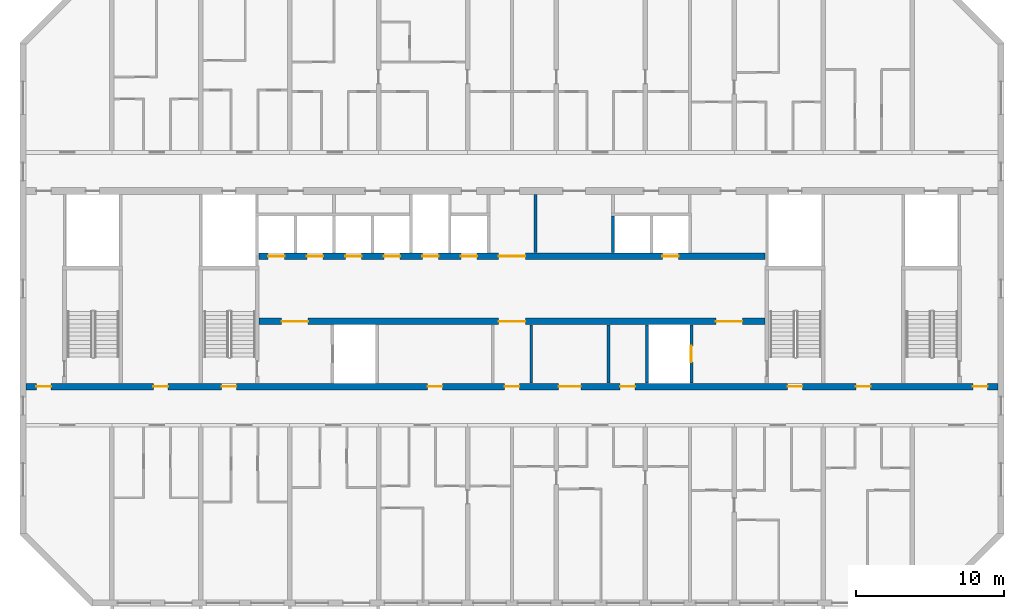
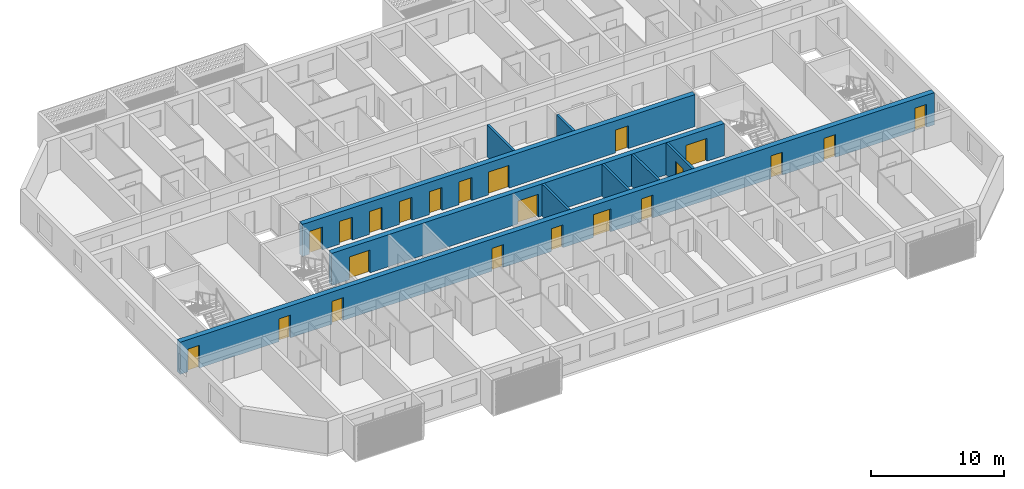
# One storey, part 6 of 26: 22 doors, 9 walls, 22 openings.
"""IFC4 building model written with IfcOpenShell, lengths in metres."""

from ifc_helpers import new_model, si_unit, direction, frame, frame_2d, origin, place, context, subcontext, project, spatial, rectangle, extrude, material, layer, layer_set, type_object, element, fill, save


model = new_model("IFC4")

# Units and contexts
model_context = context("Model", 3, precision=1e-05, world=origin(), true_north=direction((0.0, 1.0)))
body_context = subcontext(model_context, "Body", "Model", "MODEL_VIEW")
ifc_project = project(units=[si_unit("LENGTHUNIT", "METRE"), si_unit("AREAUNIT", "SQUARE_METRE"), si_unit("VOLUMEUNIT", "CUBIC_METRE"), si_unit("PLANEANGLEUNIT", "RADIAN"), si_unit("MASSUNIT", "GRAM", prefix="KILO")], contexts=[model_context])

# Site, building, storey
site_placement = place(None, origin())
site = spatial("IfcSite", under=ifc_project, at=site_placement, CompositionType="ELEMENT")
building_placement = place(site_placement, origin())
building = spatial("IfcBuilding", under=site, at=building_placement, Name="Poui Terraces", CompositionType="ELEMENT")
storey_placement = place(building_placement, frame((0.0, 0.0, 162.0)))
storey = spatial("IfcBuildingStorey", under=building, at=storey_placement, Name="L45", CompositionType="ELEMENT", Elevation=162.0)

# Wall, openings, doors
ifc_material_1 = material(Name="Concrete 65 MPa", Category="concrete")
ifc_layer_1 = layer(ifc_material_1, 0.449951171875)
ifc_layer_set_1 = layer_set([ifc_layer_1], Name="Concrete 65 MPa")
wall_type_1 = type_object("IfcWallType", Name="CORE WALL 450 65 MPA", PredefinedType="SOLIDWALL", material=ifc_layer_set_1)
wall_1_placement = place(storey_placement, frame((33.925048828125, 19.0, 0.0), z_axis=(0.0, 0.0, 1.0), x_axis=(1.0, 0.0, 0.0)))
wall_1 = element("IfcWall", 1, at=wall_1_placement, inside=storey, type_object=wall_type_1, Name="CORE WALL", PredefinedType="SOLIDWALL", context=body_context, shape_type="SweptSolid", body=[
    extrude(rectangle(XDim=34.14990234375, YDim=0.449951171875, at=frame_2d((17.074951171875, 0.0))), origin(), (0.0, 0.0, 1.0), 2.949951171875),
])
opening_1_placement = place(wall_1_placement, frame((16.175048828125, 0.0, 0.0)))
opening_1 = element("IfcOpeningElement", 2, at=opening_1_placement, cuts=wall_1, Name="Opening FDD60", PredefinedType="OPENING", context=body_context, shape_type="SweptSolid", body=[
    extrude(rectangle(XDim=1.800048828125, YDim=2.10009765625, at=frame_2d((0.89990234375, 1.050048828125))), frame((0.0, 0.23486328125, 0.0), z_axis=(0.0, -1.0, 0.0), x_axis=(1.0, 0.0, 0.0)), (0.0, 0.0, 1.0), 0.469970703125),
])
opening_2_placement = place(wall_1_placement, frame((1.52490234375, 0.0, 0.0)))
opening_2 = element("IfcOpeningElement", 3, at=opening_2_placement, cuts=wall_1, Name="Opening FDD60", PredefinedType="OPENING", context=body_context, shape_type="SweptSolid", body=[
    extrude(rectangle(XDim=1.800048828125, YDim=2.10009765625, at=frame_2d((0.89990234375, 1.050048828125))), frame((0.0, 0.23486328125, 0.0), z_axis=(0.0, -1.0, 0.0), x_axis=(1.0, 0.0, 0.0)), (0.0, 0.0, 1.0), 0.469970703125),
])
opening_3_placement = place(wall_1_placement, frame((30.824951171875, 0.0, 0.0)))
opening_3 = element("IfcOpeningElement", 4, at=opening_3_placement, cuts=wall_1, Name="Opening FDD60", PredefinedType="OPENING", context=body_context, shape_type="SweptSolid", body=[
    extrude(rectangle(XDim=1.800048828125, YDim=2.10009765625, at=frame_2d((0.89990234375, 1.050048828125))), frame((0.0, 0.23486328125, 0.0), z_axis=(0.0, -1.0, 0.0), x_axis=(1.0, 0.0, 0.0)), (0.0, 0.0, 1.0), 0.469970703125),
])
ifc_material_2 = material(Name="Steel fire door", Category="steel")
door_type_1 = type_object("IfcDoorType", Name="DOUBLE LOBBY FIRE DOOR 1800 X 2100", OperationType="DOUBLE_DOOR_SINGLE_SWING", PredefinedType="DOOR", material=ifc_material_2)
door_1_placement = place(opening_1_placement, frame((1.800048828125, 0.0, 0.0), z_axis=(0.0, 0.0, 1.0), x_axis=(-1.0, 0.0, 0.0)))
door_1 = element("IfcDoor", 5, at=door_1_placement, inside=storey, type_object=door_type_1, Name="DOUBLE LOBBY FIRE DOOR 100", OperationType="DOUBLE_DOOR_SINGLE_SWING", OverallHeight=2.10009765625, OverallWidth=1.800048828125, PredefinedType="DOOR", context=body_context, shape_type="SweptSolid", body=[
    extrude(rectangle(XDim=1.800048828125, YDim=2.10009765625, at=frame_2d((0.89990234375, 1.050048828125))), frame((0.0, 0.02490234375, 0.0), z_axis=(0.0, -1.0, 0.0), x_axis=(1.0, 0.0, 0.0)), (0.0, 0.0, 1.0), 0.050048828125),
])
fill(opening_1, door_1)
door_2_placement = place(opening_2_placement, origin())
door_2 = element("IfcDoor", 6, at=door_2_placement, inside=storey, type_object=door_type_1, Name="DOUBLE LOBBY FIRE DOOR 102", OperationType="DOUBLE_DOOR_SINGLE_SWING", OverallHeight=2.10009765625, OverallWidth=1.800048828125, PredefinedType="DOOR", context=body_context, shape_type="SweptSolid", body=[
    extrude(rectangle(XDim=1.800048828125, YDim=2.10009765625, at=frame_2d((0.89990234375, 1.050048828125))), frame((0.0, 0.02490234375, 0.0), z_axis=(0.0, -1.0, 0.0), x_axis=(1.0, 0.0, 0.0)), (0.0, 0.0, 1.0), 0.050048828125),
])
fill(opening_2, door_2)
door_3_placement = place(opening_3_placement, origin())
door_3 = element("IfcDoor", 7, at=door_3_placement, inside=storey, type_object=door_type_1, Name="DOUBLE LOBBY FIRE DOOR 109", OperationType="DOUBLE_DOOR_SINGLE_SWING", OverallHeight=2.10009765625, OverallWidth=1.800048828125, PredefinedType="DOOR", context=body_context, shape_type="SweptSolid", body=[
    extrude(rectangle(XDim=1.800048828125, YDim=2.10009765625, at=frame_2d((0.89990234375, 1.050048828125))), frame((0.0, 0.02490234375, 0.0), z_axis=(0.0, -1.0, 0.0), x_axis=(1.0, 0.0, 0.0)), (0.0, 0.0, 1.0), 0.050048828125),
])
fill(opening_3, door_3)

wall_2_placement = place(storey_placement, frame((33.925048828125, 23.39990234375, 0.0), z_axis=(0.0, 0.0, 1.0), x_axis=(1.0, 0.0, 0.0)))
wall_2 = element("IfcWall", 8, at=wall_2_placement, inside=storey, type_object=wall_type_1, Name="CORE WALL", PredefinedType="SOLIDWALL", context=body_context, shape_type="SweptSolid", body=[
    extrude(rectangle(XDim=34.14990234375, YDim=0.449951171875, at=frame_2d((17.074951171875, 0.0))), origin(), (0.0, 0.0, 1.0), 2.949951171875),
])
opening_4_placement = place(wall_2_placement, frame((16.175048828125, 0.0, 0.0)))
opening_4 = element("IfcOpeningElement", 9, at=opening_4_placement, cuts=wall_2, Name="Opening FDD60", PredefinedType="OPENING", context=body_context, shape_type="SweptSolid", body=[
    extrude(rectangle(XDim=1.800048828125, YDim=2.10009765625, at=frame_2d((0.89990234375, 1.050048828125))), frame((0.0, 0.23486328125, 0.0), z_axis=(0.0, -1.0, 0.0), x_axis=(1.0, 0.0, 0.0)), (0.0, 0.0, 1.0), 0.469970703125),
])
opening_5_placement = place(wall_2_placement, frame((0.625, 0.0, 0.0)))
opening_5 = element("IfcOpeningElement", 10, at=opening_5_placement, cuts=wall_2, Name="Opening LD", PredefinedType="OPENING", context=body_context, shape_type="SweptSolid", body=[
    extrude(rectangle(XDim=1.10009765625, YDim=2.10009765625, at=frame_2d((0.550048828125, 1.050048828125))), frame((0.0, 0.23486328125, 0.0), z_axis=(0.0, -1.0, 0.0), x_axis=(1.0, 0.0, 0.0)), (0.0, 0.0, 1.0), 0.469970703125),
])
opening_6_placement = place(wall_2_placement, frame((3.22509765625, 0.0, 0.0)))
opening_6 = element("IfcOpeningElement", 11, at=opening_6_placement, cuts=wall_2, Name="Opening LD", PredefinedType="OPENING", context=body_context, shape_type="SweptSolid", body=[
    extrude(rectangle(XDim=1.10009765625, YDim=2.10009765625, at=frame_2d((0.550048828125, 1.050048828125))), frame((0.0, 0.23486328125, 0.0), z_axis=(0.0, -1.0, 0.0), x_axis=(1.0, 0.0, 0.0)), (0.0, 0.0, 1.0), 0.469970703125),
])
opening_7_placement = place(wall_2_placement, frame((5.824951171875, 0.0, 0.0)))
opening_7 = element("IfcOpeningElement", 12, at=opening_7_placement, cuts=wall_2, Name="Opening LD", PredefinedType="OPENING", context=body_context, shape_type="SweptSolid", body=[
    extrude(rectangle(XDim=1.10009765625, YDim=2.10009765625, at=frame_2d((0.550048828125, 1.050048828125))), frame((0.0, 0.23486328125, 0.0), z_axis=(0.0, -1.0, 0.0), x_axis=(1.0, 0.0, 0.0)), (0.0, 0.0, 1.0), 0.469970703125),
])
opening_8_placement = place(wall_2_placement, frame((8.425048828125, 0.0, 0.0)))
opening_8 = element("IfcOpeningElement", 13, at=opening_8_placement, cuts=wall_2, Name="Opening LD", PredefinedType="OPENING", context=body_context, shape_type="SweptSolid", body=[
    extrude(rectangle(XDim=1.10009765625, YDim=2.10009765625, at=frame_2d((0.550048828125, 1.050048828125))), frame((0.0, 0.23486328125, 0.0), z_axis=(0.0, -1.0, 0.0), x_axis=(1.0, 0.0, 0.0)), (0.0, 0.0, 1.0), 0.469970703125),
])
opening_9_placement = place(wall_2_placement, frame((11.02490234375, 0.0, 0.0)))
opening_9 = element("IfcOpeningElement", 14, at=opening_9_placement, cuts=wall_2, Name="Opening LD", PredefinedType="OPENING", context=body_context, shape_type="SweptSolid", body=[
    extrude(rectangle(XDim=1.10009765625, YDim=2.10009765625, at=frame_2d((0.550048828125, 1.050048828125))), frame((0.0, 0.23486328125, 0.0), z_axis=(0.0, -1.0, 0.0), x_axis=(1.0, 0.0, 0.0)), (0.0, 0.0, 1.0), 0.469970703125),
])
opening_10_placement = place(wall_2_placement, frame((13.625, 0.0, 0.0)))
opening_10 = element("IfcOpeningElement", 15, at=opening_10_placement, cuts=wall_2, Name="Opening LD", PredefinedType="OPENING", context=body_context, shape_type="SweptSolid", body=[
    extrude(rectangle(XDim=1.10009765625, YDim=2.10009765625, at=frame_2d((0.550048828125, 1.050048828125))), frame((0.0, 0.23486328125, 0.0), z_axis=(0.0, -1.0, 0.0), x_axis=(1.0, 0.0, 0.0)), (0.0, 0.0, 1.0), 0.469970703125),
])
opening_11_placement = place(wall_2_placement, frame((27.22509765625, 0.0, 0.0)))
opening_11 = element("IfcOpeningElement", 16, at=opening_11_placement, cuts=wall_2, Name="Opening LD", PredefinedType="OPENING", context=body_context, shape_type="SweptSolid", body=[
    extrude(rectangle(XDim=1.10009765625, YDim=2.10009765625, at=frame_2d((0.550048828125, 1.050048828125))), frame((0.0, 0.23486328125, 0.0), z_axis=(0.0, -1.0, 0.0), x_axis=(1.0, 0.0, 0.0)), (0.0, 0.0, 1.0), 0.469970703125),
])
door_4_placement = place(opening_4_placement, origin())
door_4 = element("IfcDoor", 17, at=door_4_placement, inside=storey, type_object=door_type_1, Name="DOUBLE LOBBY FIRE DOOR 099", OperationType="DOUBLE_DOOR_SINGLE_SWING", OverallHeight=2.10009765625, OverallWidth=1.800048828125, PredefinedType="DOOR", context=body_context, shape_type="SweptSolid", body=[
    extrude(rectangle(XDim=1.800048828125, YDim=2.10009765625, at=frame_2d((0.89990234375, 1.050048828125))), frame((0.0, 0.02490234375, 0.0), z_axis=(0.0, -1.0, 0.0), x_axis=(1.0, 0.0, 0.0)), (0.0, 0.0, 1.0), 0.050048828125),
])
fill(opening_4, door_4)
ifc_material_3 = material(Name="Stainless steel sliding door", Category="steel")
door_type_2 = type_object("IfcDoorType", Name="LIFT LANDING DOOR 1100 X 2100", OperationType="DOUBLE_DOOR_SLIDING", PredefinedType="DOOR", material=ifc_material_3)
door_5_placement = place(opening_5_placement, origin())
door_5 = element("IfcDoor", 18, at=door_5_placement, inside=storey, type_object=door_type_2, Name="LANDING DOOR", OperationType="DOUBLE_DOOR_SLIDING", OverallHeight=2.10009765625, OverallWidth=1.10009765625, PredefinedType="DOOR", context=body_context, shape_type="SweptSolid", body=[
    extrude(rectangle(XDim=1.10009765625, YDim=2.10009765625, at=frame_2d((0.550048828125, 1.050048828125))), frame((0.0, 0.02490234375, 0.0), z_axis=(0.0, -1.0, 0.0), x_axis=(1.0, 0.0, 0.0)), (0.0, 0.0, 1.0), 0.050048828125),
])
fill(opening_5, door_5)
door_6_placement = place(opening_6_placement, origin())
door_6 = element("IfcDoor", 19, at=door_6_placement, inside=storey, type_object=door_type_2, Name="LANDING DOOR", OperationType="DOUBLE_DOOR_SLIDING", OverallHeight=2.10009765625, OverallWidth=1.10009765625, PredefinedType="DOOR", context=body_context, shape_type="SweptSolid", body=[
    extrude(rectangle(XDim=1.10009765625, YDim=2.10009765625, at=frame_2d((0.550048828125, 1.050048828125))), frame((0.0, 0.02490234375, 0.0), z_axis=(0.0, -1.0, 0.0), x_axis=(1.0, 0.0, 0.0)), (0.0, 0.0, 1.0), 0.050048828125),
])
fill(opening_6, door_6)
door_7_placement = place(opening_7_placement, origin())
door_7 = element("IfcDoor", 20, at=door_7_placement, inside=storey, type_object=door_type_2, Name="LANDING DOOR", OperationType="DOUBLE_DOOR_SLIDING", OverallHeight=2.10009765625, OverallWidth=1.10009765625, PredefinedType="DOOR", context=body_context, shape_type="SweptSolid", body=[
    extrude(rectangle(XDim=1.10009765625, YDim=2.10009765625, at=frame_2d((0.550048828125, 1.050048828125))), frame((0.0, 0.02490234375, 0.0), z_axis=(0.0, -1.0, 0.0), x_axis=(1.0, 0.0, 0.0)), (0.0, 0.0, 1.0), 0.050048828125),
])
fill(opening_7, door_7)
door_8_placement = place(opening_8_placement, origin())
door_8 = element("IfcDoor", 21, at=door_8_placement, inside=storey, type_object=door_type_2, Name="LANDING DOOR", OperationType="DOUBLE_DOOR_SLIDING", OverallHeight=2.10009765625, OverallWidth=1.10009765625, PredefinedType="DOOR", context=body_context, shape_type="SweptSolid", body=[
    extrude(rectangle(XDim=1.10009765625, YDim=2.10009765625, at=frame_2d((0.550048828125, 1.050048828125))), frame((0.0, 0.02490234375, 0.0), z_axis=(0.0, -1.0, 0.0), x_axis=(1.0, 0.0, 0.0)), (0.0, 0.0, 1.0), 0.050048828125),
])
fill(opening_8, door_8)
door_9_placement = place(opening_9_placement, origin())
door_9 = element("IfcDoor", 22, at=door_9_placement, inside=storey, type_object=door_type_2, Name="LANDING DOOR", OperationType="DOUBLE_DOOR_SLIDING", OverallHeight=2.10009765625, OverallWidth=1.10009765625, PredefinedType="DOOR", context=body_context, shape_type="SweptSolid", body=[
    extrude(rectangle(XDim=1.10009765625, YDim=2.10009765625, at=frame_2d((0.550048828125, 1.050048828125))), frame((0.0, 0.02490234375, 0.0), z_axis=(0.0, -1.0, 0.0), x_axis=(1.0, 0.0, 0.0)), (0.0, 0.0, 1.0), 0.050048828125),
])
fill(opening_9, door_9)
door_10_placement = place(opening_10_placement, origin())
door_10 = element("IfcDoor", 23, at=door_10_placement, inside=storey, type_object=door_type_2, Name="LANDING DOOR", OperationType="DOUBLE_DOOR_SLIDING", OverallHeight=2.10009765625, OverallWidth=1.10009765625, PredefinedType="DOOR", context=body_context, shape_type="SweptSolid", body=[
    extrude(rectangle(XDim=1.10009765625, YDim=2.10009765625, at=frame_2d((0.550048828125, 1.050048828125))), frame((0.0, 0.02490234375, 0.0), z_axis=(0.0, -1.0, 0.0), x_axis=(1.0, 0.0, 0.0)), (0.0, 0.0, 1.0), 0.050048828125),
])
fill(opening_10, door_10)
door_11_placement = place(opening_11_placement, origin())
door_11 = element("IfcDoor", 24, at=door_11_placement, inside=storey, type_object=door_type_2, Name="LANDING DOOR", OperationType="DOUBLE_DOOR_SLIDING", OverallHeight=2.10009765625, OverallWidth=1.10009765625, PredefinedType="DOOR", context=body_context, shape_type="SweptSolid", body=[
    extrude(rectangle(XDim=1.10009765625, YDim=2.10009765625, at=frame_2d((0.550048828125, 1.050048828125))), frame((0.0, 0.02490234375, 0.0), z_axis=(0.0, -1.0, 0.0), x_axis=(1.0, 0.0, 0.0)), (0.0, 0.0, 1.0), 0.050048828125),
])
fill(opening_11, door_11)

# Walls
ifc_material_4 = material(Name="Fire-rated masonry wall", Category="masonry")
ifc_layer_2 = layer(ifc_material_4, 0.199951171875)
ifc_layer_set_2 = layer_set([ifc_layer_2], Name="Fire-rated masonry wall")
wall_type_2 = type_object("IfcWallType", Name="PLANT ROOM WALL 200", PredefinedType="PARTITIONING", material=ifc_layer_set_2)
for number, where, z_axis, x_axis, name in (
    (25, (52.300048828125, 14.8349609375, 0.0), (0.0, 0.0, 1.0), (0.0, 1.0, 0.0), "PLANT ROOM WALL 200"),
    (26, (52.60009765625, 23.635009765625, 0.0), (0.0, 0.0, 1.0), (0.0, 1.0, 0.0), "PLANT ROOM WALL 200"),
    (27, (57.5, 14.8349609375, 0.0), (0.0, 0.0, 1.0), (0.0, 1.0, 0.0), "PLANT ROOM WALL 200"),
):
    element("IfcWall", number, at=place(storey_placement, frame(where, z_axis=z_axis, x_axis=x_axis)), inside=storey, type_object=wall_type_2, Name=name, PredefinedType="PARTITIONING", context=body_context, shape_type="SweptSolid", body=[
        extrude(rectangle(XDim=3.929931640625, YDim=0.199951171875, at=frame_2d((1.96484375, 0.0))), origin(), (0.0, 0.0, 1.0), 2.949951171875),
    ])
ifc_material_5 = material(Name="Fire-rated masonry shaft wall", Category="masonry")
ifc_layer_3 = layer(ifc_material_5, 0.199951171875)
ifc_layer_set_3 = layer_set([ifc_layer_3], Name="Fire-rated masonry shaft wall")
wall_type_3 = type_object("IfcWallType", Name="SHAFT WALL 200", PredefinedType="PARTITIONING", material=ifc_layer_set_3)
wall_3_placement = place(storey_placement, frame((57.800048828125, 23.635009765625, 0.0), z_axis=(0.0, 0.0, 1.0), x_axis=(0.0, 1.0, 0.0)))
element("IfcWall", 28, at=wall_3_placement, inside=storey, type_object=wall_type_3, Name="SHAFT WALL 200", PredefinedType="PARTITIONING", context=body_context, shape_type="SweptSolid", body=[
    extrude(rectangle(XDim=2.465087890625, YDim=0.199951171875, at=frame_2d((1.232421875, 0.0))), origin(), (0.0, 0.0, 1.0), 2.949951171875),
])
wall_4_placement = place(storey_placement, frame((60.10009765625, 14.8349609375, 0.0), z_axis=(0.0, 0.0, 1.0), x_axis=(0.0, 1.0, 0.0)))
element("IfcWall", 29, at=wall_4_placement, inside=storey, type_object=wall_type_3, Name="SHAFT WALL 200", PredefinedType="PARTITIONING", context=body_context, shape_type="SweptSolid", body=[
    extrude(rectangle(XDim=3.929931640625, YDim=0.199951171875, at=frame_2d((1.96484375, 0.0))), origin(), (0.0, 0.0, 1.0), 2.949951171875),
])

# Wall, opening, door
wall_5_placement = place(storey_placement, frame((63.10009765625, 14.8349609375, 0.0), z_axis=(0.0, 0.0, 1.0), x_axis=(0.0, 1.0, 0.0)))
wall_5 = element("IfcWall", 30, at=wall_5_placement, inside=storey, type_object=wall_type_3, Name="SHAFT WALL 200", PredefinedType="PARTITIONING", context=body_context, shape_type="SweptSolid", body=[
    extrude(rectangle(XDim=3.929931640625, YDim=0.199951171875, at=frame_2d((1.96484375, 0.0))), origin(), (0.0, 0.0, 1.0), 2.949951171875),
])
opening_12_placement = place(wall_5_placement, frame((1.4150390625, 0.0, 0.0)))
opening_12 = element("IfcOpeningElement", 31, at=opening_12_placement, cuts=wall_5, Name="Opening LD", PredefinedType="OPENING", context=body_context, shape_type="SweptSolid", body=[
    extrude(rectangle(XDim=1.10009765625, YDim=2.10009765625, at=frame_2d((0.550048828125, 1.050048828125))), frame((0.0, 0.10986328125, 0.0), z_axis=(0.0, -1.0, 0.0), x_axis=(1.0, 0.0, 0.0)), (0.0, 0.0, 1.0), 0.219970703125),
])
door_12_placement = place(opening_12_placement, origin())
door_12 = element("IfcDoor", 32, at=door_12_placement, inside=storey, type_object=door_type_2, Name="LANDING DOOR", OperationType="DOUBLE_DOOR_SLIDING", OverallHeight=2.10009765625, OverallWidth=1.10009765625, PredefinedType="DOOR", context=body_context, shape_type="SweptSolid", body=[
    extrude(rectangle(XDim=1.10009765625, YDim=2.10009765625, at=frame_2d((0.550048828125, 1.050048828125))), frame((0.0, 0.02490234375, 0.0), z_axis=(0.0, -1.0, 0.0), x_axis=(1.0, 0.0, 0.0)), (0.0, 0.0, 1.0), 0.050048828125),
])
fill(opening_12, door_12)

# Wall, openings, doors
ifc_layer_4 = layer(ifc_material_1, 0.449951171875)
ifc_layer_set_4 = layer_set([ifc_layer_4], Name="Concrete 65 MPa")
wall_type_4 = type_object("IfcWallType", Name="SPINE WALL 450 65 MPA", PredefinedType="SOLIDWALL", material=ifc_layer_set_4)
wall_6_placement = place(storey_placement, frame((18.199951171875, 14.60009765625, 0.0), z_axis=(0.0, 0.0, 1.0), x_axis=(1.0, 0.0, 0.0)))
wall_6 = element("IfcWall", 33, at=wall_6_placement, inside=storey, type_object=wall_type_4, Name="SPINE WALL", PredefinedType="SOLIDWALL", context=body_context, shape_type="SweptSolid", body=[
    extrude(rectangle(XDim=65.60009765625, YDim=0.449951171875, at=frame_2d((32.800048828125, 0.0))), origin(), (0.0, 0.0, 1.0), 2.949951171875),
])
opening_13_placement = place(wall_6_placement, frame((0.699951171875, 0.0, 0.0)))
opening_13 = element("IfcOpeningElement", 34, at=opening_13_placement, cuts=wall_6, Name="Opening FDL", PredefinedType="OPENING", context=body_context, shape_type="SweptSolid", body=[
    extrude(rectangle(XDim=1.0, YDim=2.10009765625, at=frame_2d((0.5, 1.050048828125))), frame((0.0, 0.23486328125, 0.0), z_axis=(0.0, -1.0, 0.0), x_axis=(1.0, 0.0, 0.0)), (0.0, 0.0, 1.0), 0.469970703125),
])
opening_14_placement = place(wall_6_placement, frame((8.60009765625, 0.0, 0.0)))
opening_14 = element("IfcOpeningElement", 35, at=opening_14_placement, cuts=wall_6, Name="Opening D100", PredefinedType="OPENING", context=body_context, shape_type="SweptSolid", body=[
    extrude(rectangle(XDim=1.0, YDim=2.10009765625, at=frame_2d((0.5, 1.050048828125))), frame((0.0, 0.23486328125, 0.0), z_axis=(0.0, -1.0, 0.0), x_axis=(1.0, 0.0, 0.0)), (0.0, 0.0, 1.0), 0.469970703125),
])
opening_15_placement = place(wall_6_placement, frame((13.199951171875, 0.0, 0.0)))
opening_15 = element("IfcOpeningElement", 36, at=opening_15_placement, cuts=wall_6, Name="Opening FD60S", PredefinedType="OPENING", context=body_context, shape_type="SweptSolid", body=[
    extrude(rectangle(XDim=1.0, YDim=2.10009765625, at=frame_2d((0.5, 1.050048828125))), frame((0.0, 0.23486328125, 0.0), z_axis=(0.0, -1.0, 0.0), x_axis=(1.0, 0.0, 0.0)), (0.0, 0.0, 1.0), 0.469970703125),
])
opening_16_placement = place(wall_6_placement, frame((27.10009765625, 0.0, 0.0)))
opening_16 = element("IfcOpeningElement", 37, at=opening_16_placement, cuts=wall_6, Name="Opening FD60", PredefinedType="OPENING", context=body_context, shape_type="SweptSolid", body=[
    extrude(rectangle(XDim=1.0, YDim=2.10009765625, at=frame_2d((0.5, 1.050048828125))), frame((0.0, 0.23486328125, 0.0), z_axis=(0.0, -1.0, 0.0), x_axis=(1.0, 0.0, 0.0)), (0.0, 0.0, 1.0), 0.469970703125),
])
opening_17_placement = place(wall_6_placement, frame((32.300048828125, 0.0, 0.0)))
opening_17 = element("IfcOpeningElement", 38, at=opening_17_placement, cuts=wall_6, Name="Opening FDL", PredefinedType="OPENING", context=body_context, shape_type="SweptSolid", body=[
    extrude(rectangle(XDim=1.0, YDim=2.10009765625, at=frame_2d((0.5, 1.050048828125))), frame((0.0, 0.23486328125, 0.0), z_axis=(0.0, -1.0, 0.0), x_axis=(1.0, 0.0, 0.0)), (0.0, 0.0, 1.0), 0.469970703125),
])
opening_18_placement = place(wall_6_placement, frame((35.949951171875, 0.0, 0.0)))
opening_18 = element("IfcOpeningElement", 39, at=opening_18_placement, cuts=wall_6, Name="Opening FDP", PredefinedType="OPENING", context=body_context, shape_type="SweptSolid", body=[
    extrude(rectangle(XDim=1.5, YDim=2.10009765625, at=frame_2d((0.75, 1.050048828125))), frame((0.0, 0.23486328125, 0.0), z_axis=(0.0, -1.0, 0.0), x_axis=(1.0, 0.0, 0.0)), (0.0, 0.0, 1.0), 0.469970703125),
])
opening_19_placement = place(wall_6_placement, frame((40.10009765625, 0.0, 0.0)))
opening_19 = element("IfcOpeningElement", 40, at=opening_19_placement, cuts=wall_6, Name="Opening FD60", PredefinedType="OPENING", context=body_context, shape_type="SweptSolid", body=[
    extrude(rectangle(XDim=1.0, YDim=2.10009765625, at=frame_2d((0.5, 1.050048828125))), frame((0.0, 0.23486328125, 0.0), z_axis=(0.0, -1.0, 0.0), x_axis=(1.0, 0.0, 0.0)), (0.0, 0.0, 1.0), 0.469970703125),
])
opening_20_placement = place(wall_6_placement, frame((51.39990234375, 0.0, 0.0)))
opening_20 = element("IfcOpeningElement", 41, at=opening_20_placement, cuts=wall_6, Name="Opening FD60S", PredefinedType="OPENING", context=body_context, shape_type="SweptSolid", body=[
    extrude(rectangle(XDim=1.0, YDim=2.10009765625, at=frame_2d((0.5, 1.050048828125))), frame((0.0, 0.23486328125, 0.0), z_axis=(0.0, -1.0, 0.0), x_axis=(1.0, 0.0, 0.0)), (0.0, 0.0, 1.0), 0.469970703125),
])
opening_21_placement = place(wall_6_placement, frame((56.0, 0.0, 0.0)))
opening_21 = element("IfcOpeningElement", 42, at=opening_21_placement, cuts=wall_6, Name="Opening D100", PredefinedType="OPENING", context=body_context, shape_type="SweptSolid", body=[
    extrude(rectangle(XDim=1.0, YDim=2.10009765625, at=frame_2d((0.5, 1.050048828125))), frame((0.0, 0.23486328125, 0.0), z_axis=(0.0, -1.0, 0.0), x_axis=(1.0, 0.0, 0.0)), (0.0, 0.0, 1.0), 0.469970703125),
])
opening_22_placement = place(wall_6_placement, frame((63.89990234375, 0.0, 0.0)))
opening_22 = element("IfcOpeningElement", 43, at=opening_22_placement, cuts=wall_6, Name="Opening FDL", PredefinedType="OPENING", context=body_context, shape_type="SweptSolid", body=[
    extrude(rectangle(XDim=1.0, YDim=2.10009765625, at=frame_2d((0.5, 1.050048828125))), frame((0.0, 0.23486328125, 0.0), z_axis=(0.0, -1.0, 0.0), x_axis=(1.0, 0.0, 0.0)), (0.0, 0.0, 1.0), 0.469970703125),
])
ifc_material_6 = material(Name="Solid core timber door", Category="wood")
door_type_3 = type_object("IfcDoorType", Name="ACCESSIBLE INTERNAL DOOR 1000 X 2100", OperationType="NOTDEFINED", PredefinedType="DOOR", material=ifc_material_6)
door_13_placement = place(opening_14_placement, frame((1.0, 0.0, 0.0), z_axis=(0.0, 0.0, 1.0), x_axis=(-1.0, 0.0, 0.0)))
door_13 = element("IfcDoor", 44, at=door_13_placement, inside=storey, type_object=door_type_3, Name="ACCESSIBLE INTERNAL DOOR 015", OperationType="SINGLE_SWING_RIGHT", OverallHeight=2.10009765625, OverallWidth=1.0, PredefinedType="DOOR", context=body_context, shape_type="SweptSolid", body=[
    extrude(rectangle(XDim=1.0, YDim=2.10009765625, at=frame_2d((0.5, 1.050048828125))), frame((0.0, 0.02490234375, 0.0), z_axis=(0.0, -1.0, 0.0), x_axis=(1.0, 0.0, 0.0)), (0.0, 0.0, 1.0), 0.050048828125),
])
fill(opening_14, door_13)
door_14_placement = place(opening_21_placement, frame((1.0, 0.0, 0.0), z_axis=(0.0, 0.0, 1.0), x_axis=(-1.0, 0.0, 0.0)))
door_14 = element("IfcDoor", 45, at=door_14_placement, inside=storey, type_object=door_type_3, Name="ACCESSIBLE INTERNAL DOOR 022", OperationType="SINGLE_SWING_LEFT", OverallHeight=2.10009765625, OverallWidth=1.0, PredefinedType="DOOR", context=body_context, shape_type="SweptSolid", body=[
    extrude(rectangle(XDim=1.0, YDim=2.10009765625, at=frame_2d((0.5, 1.050048828125))), frame((0.0, 0.02490234375, 0.0), z_axis=(0.0, -1.0, 0.0), x_axis=(1.0, 0.0, 0.0)), (0.0, 0.0, 1.0), 0.050048828125),
])
fill(opening_21, door_14)
door_type_4 = type_object("IfcDoorType", Name="LOBBY FIRE DOOR 1000 X 2100", OperationType="NOTDEFINED", PredefinedType="DOOR", material=ifc_material_2)
door_15_placement = place(opening_13_placement, frame((1.0, 0.0, 0.0), z_axis=(0.0, 0.0, 1.0), x_axis=(-1.0, 0.0, 0.0)))
door_15 = element("IfcDoor", 46, at=door_15_placement, inside=storey, type_object=door_type_4, Name="LOBBY FIRE DOOR 014", OperationType="SINGLE_SWING_RIGHT", OverallHeight=2.10009765625, OverallWidth=1.0, PredefinedType="DOOR", context=body_context, shape_type="SweptSolid", body=[
    extrude(rectangle(XDim=1.0, YDim=2.10009765625, at=frame_2d((0.5, 1.050048828125))), frame((0.0, 0.02490234375, 0.0), z_axis=(0.0, -1.0, 0.0), x_axis=(1.0, 0.0, 0.0)), (0.0, 0.0, 1.0), 0.050048828125),
])
fill(opening_13, door_15)
door_16_placement = place(opening_17_placement, frame((1.0, 0.0, 0.0), z_axis=(0.0, 0.0, 1.0), x_axis=(-1.0, 0.0, 0.0)))
door_16 = element("IfcDoor", 47, at=door_16_placement, inside=storey, type_object=door_type_4, Name="LOBBY FIRE DOOR 018", OperationType="SINGLE_SWING_LEFT", OverallHeight=2.10009765625, OverallWidth=1.0, PredefinedType="DOOR", context=body_context, shape_type="SweptSolid", body=[
    extrude(rectangle(XDim=1.0, YDim=2.10009765625, at=frame_2d((0.5, 1.050048828125))), frame((0.0, 0.02490234375, 0.0), z_axis=(0.0, -1.0, 0.0), x_axis=(1.0, 0.0, 0.0)), (0.0, 0.0, 1.0), 0.050048828125),
])
fill(opening_17, door_16)
door_17_placement = place(opening_22_placement, frame((1.0, 0.0, 0.0), z_axis=(0.0, 0.0, 1.0), x_axis=(-1.0, 0.0, 0.0)))
door_17 = element("IfcDoor", 48, at=door_17_placement, inside=storey, type_object=door_type_4, Name="LOBBY FIRE DOOR 023", OperationType="SINGLE_SWING_LEFT", OverallHeight=2.10009765625, OverallWidth=1.0, PredefinedType="DOOR", context=body_context, shape_type="SweptSolid", body=[
    extrude(rectangle(XDim=1.0, YDim=2.10009765625, at=frame_2d((0.5, 1.050048828125))), frame((0.0, 0.02490234375, 0.0), z_axis=(0.0, -1.0, 0.0), x_axis=(1.0, 0.0, 0.0)), (0.0, 0.0, 1.0), 0.050048828125),
])
fill(opening_22, door_17)
door_type_5 = type_object("IfcDoorType", Name="PLANT ROOM DOOR PAIR 1500 X 2100", OperationType="DOUBLE_DOOR_SINGLE_SWING", PredefinedType="DOOR", material=ifc_material_2)
door_18_placement = place(opening_18_placement, frame((1.5, 0.0, 0.0), z_axis=(0.0, 0.0, 1.0), x_axis=(-1.0, 0.0, 0.0)))
door_18 = element("IfcDoor", 49, at=door_18_placement, inside=storey, type_object=door_type_5, Name="PLANT ROOM DOOR PAIR 019", OperationType="DOUBLE_DOOR_SINGLE_SWING", OverallHeight=2.10009765625, OverallWidth=1.5, PredefinedType="DOOR", context=body_context, shape_type="SweptSolid", body=[
    extrude(rectangle(XDim=1.5, YDim=2.10009765625, at=frame_2d((0.75, 1.050048828125))), frame((0.0, 0.02490234375, 0.0), z_axis=(0.0, -1.0, 0.0), x_axis=(1.0, 0.0, 0.0)), (0.0, 0.0, 1.0), 0.050048828125),
])
fill(opening_18, door_18)
door_type_6 = type_object("IfcDoorType", Name="SERVICE ROOM FIRE DOOR 1000 X 2100", OperationType="NOTDEFINED", PredefinedType="DOOR", material=ifc_material_2)
door_19_placement = place(opening_16_placement, frame((1.0, 0.0, 0.0), z_axis=(0.0, 0.0, 1.0), x_axis=(-1.0, 0.0, 0.0)))
door_19 = element("IfcDoor", 50, at=door_19_placement, inside=storey, type_object=door_type_6, Name="SERVICE ROOM FIRE DOOR 017", OperationType="SINGLE_SWING_LEFT", OverallHeight=2.10009765625, OverallWidth=1.0, PredefinedType="DOOR", context=body_context, shape_type="SweptSolid", body=[
    extrude(rectangle(XDim=1.0, YDim=2.10009765625, at=frame_2d((0.5, 1.050048828125))), frame((0.0, 0.02490234375, 0.0), z_axis=(0.0, -1.0, 0.0), x_axis=(1.0, 0.0, 0.0)), (0.0, 0.0, 1.0), 0.050048828125),
])
fill(opening_16, door_19)
door_20_placement = place(opening_19_placement, frame((1.0, 0.0, 0.0), z_axis=(0.0, 0.0, 1.0), x_axis=(-1.0, 0.0, 0.0)))
door_20 = element("IfcDoor", 51, at=door_20_placement, inside=storey, type_object=door_type_6, Name="SERVICE ROOM FIRE DOOR 020", OperationType="SINGLE_SWING_LEFT", OverallHeight=2.10009765625, OverallWidth=1.0, PredefinedType="DOOR", context=body_context, shape_type="SweptSolid", body=[
    extrude(rectangle(XDim=1.0, YDim=2.10009765625, at=frame_2d((0.5, 1.050048828125))), frame((0.0, 0.02490234375, 0.0), z_axis=(0.0, -1.0, 0.0), x_axis=(1.0, 0.0, 0.0)), (0.0, 0.0, 1.0), 0.050048828125),
])
fill(opening_19, door_20)
door_type_7 = type_object("IfcDoorType", Name="STAIR DOOR 1000 X 2100", OperationType="NOTDEFINED", PredefinedType="DOOR", material=ifc_material_2)
door_21_placement = place(opening_15_placement, origin())
door_21 = element("IfcDoor", 52, at=door_21_placement, inside=storey, type_object=door_type_7, Name="STAIR DOOR 016", OperationType="SINGLE_SWING_RIGHT", OverallHeight=2.10009765625, OverallWidth=1.0, PredefinedType="DOOR", context=body_context, shape_type="SweptSolid", body=[
    extrude(rectangle(XDim=1.0, YDim=2.10009765625, at=frame_2d((0.5, 1.050048828125))), frame((0.0, 0.02490234375, 0.0), z_axis=(0.0, -1.0, 0.0), x_axis=(1.0, 0.0, 0.0)), (0.0, 0.0, 1.0), 0.050048828125),
])
fill(opening_15, door_21)
door_22_placement = place(opening_20_placement, origin())
door_22 = element("IfcDoor", 53, at=door_22_placement, inside=storey, type_object=door_type_7, Name="STAIR DOOR 021", OperationType="SINGLE_SWING_RIGHT", OverallHeight=2.10009765625, OverallWidth=1.0, PredefinedType="DOOR", context=body_context, shape_type="SweptSolid", body=[
    extrude(rectangle(XDim=1.0, YDim=2.10009765625, at=frame_2d((0.5, 1.050048828125))), frame((0.0, 0.02490234375, 0.0), z_axis=(0.0, -1.0, 0.0), x_axis=(1.0, 0.0, 0.0)), (0.0, 0.0, 1.0), 0.050048828125),
])
fill(opening_20, door_22)

save(model, "model.ifc")
